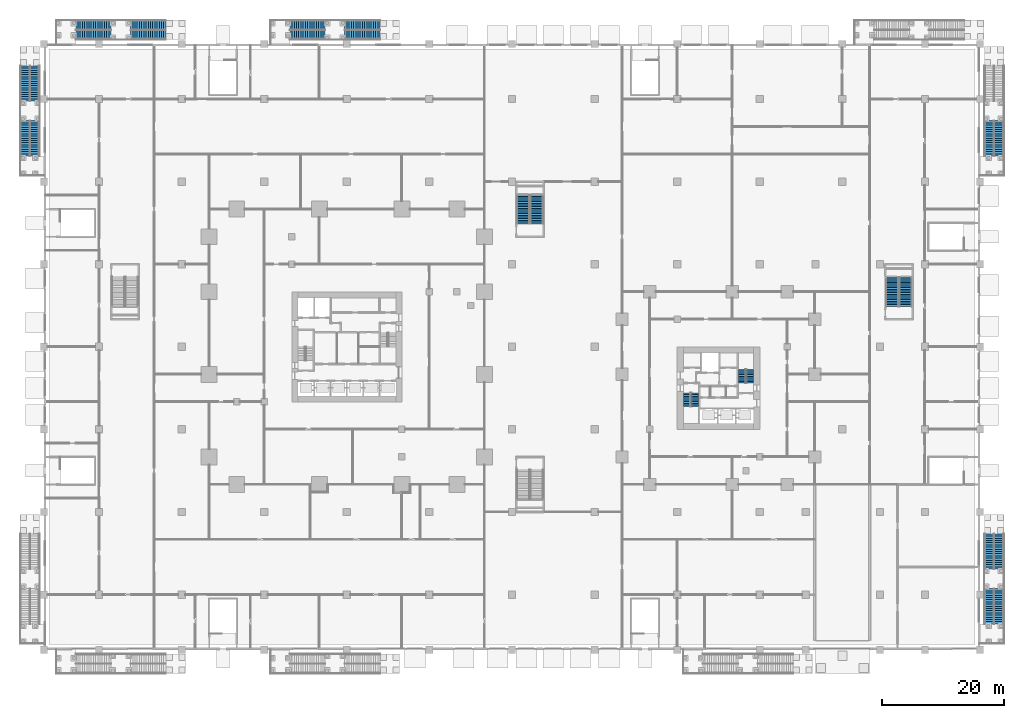
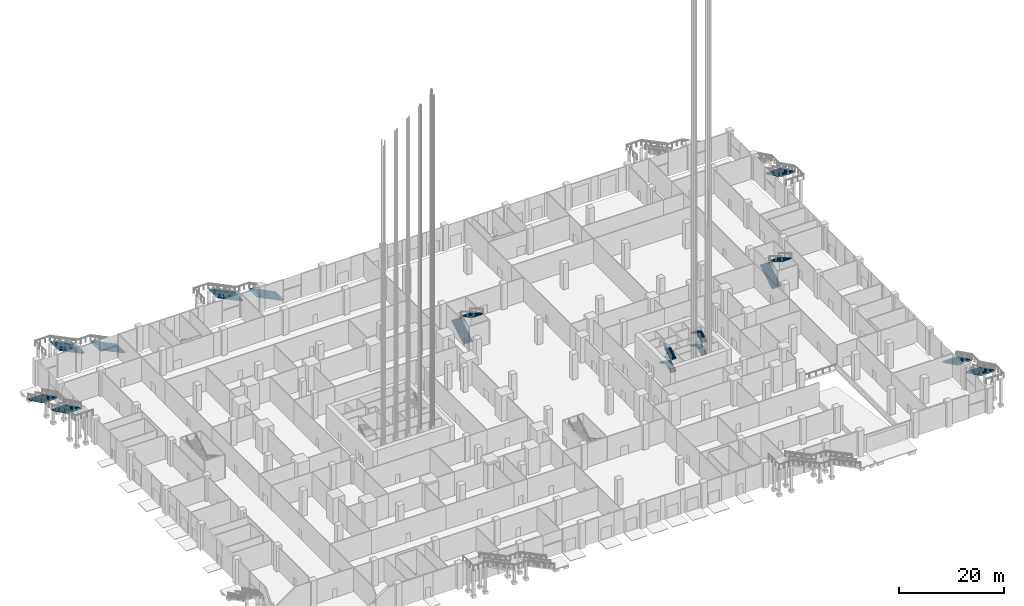
# One storey, part 38 of 68: 20 stair flights, 9 elements without a shape of their own.
"""IFC4 building model written with IfcOpenShell, lengths in metres."""

from ifc_helpers import new_model, si_unit, direction, frame, origin, place, context, subcontext, project, spatial, polyline, outline, extrude, material, type_object, element, aggregate, save


model = new_model("IFC4")

# Units and contexts
model_context = context("Model", 3, precision=1e-05, world=origin(), true_north=direction((0.0, 1.0)))
body_context = subcontext(model_context, "Body", "Model", "MODEL_VIEW")
ifc_project = project(units=[si_unit("LENGTHUNIT", "METRE"), si_unit("AREAUNIT", "SQUARE_METRE"), si_unit("VOLUMEUNIT", "CUBIC_METRE"), si_unit("PLANEANGLEUNIT", "RADIAN"), si_unit("MASSUNIT", "GRAM", prefix="KILO")], contexts=[model_context])

# Site, building, storey
site_placement = place(None, origin())
site = spatial("IfcSite", under=ifc_project, at=site_placement, CompositionType="ELEMENT")
building_placement = place(site_placement, origin())
building = spatial("IfcBuilding", under=site, at=building_placement, Name="Altepetl Exchange Towers", CompositionType="ELEMENT")
storey_placement = place(building_placement, origin())
storey = spatial("IfcBuildingStorey", under=building, at=storey_placement, Name="L00 Ground concourse", CompositionType="ELEMENT", Elevation=0.0)

# Stair, stair flights
ifc_material_1 = material(Name="Reinforced concrete C35/45", Category="concrete")
stair_type_1 = type_object("IfcStairType", Name="Exit garden steps 3200", PredefinedType="TWO_STRAIGHT_RUN_STAIR", material=ifc_material_1)
stair_1_placement = place(storey_placement, origin())
stair_1 = element("IfcStair", 1, at=stair_1_placement, inside=storey, type_object=stair_type_1, Name="ST-G3 exit garden steps", PredefinedType="TWO_STRAIGHT_RUN_STAIR")
stair_flight_type_1 = type_object("IfcStairFlightType", Name="Exit garden steps flight 3200", PredefinedType="STRAIGHT", material=ifc_material_1)
stair_flight_1_placement = place(storey_placement, frame((10.9599609375, 101.300048828125, 3.0), z_axis=(0.0, 0.0, 1.0), x_axis=(-1.0, 0.0, 0.0)))
stair_flight_1 = element("IfcStairFlight", 2, at=stair_flight_1_placement, type_object=stair_flight_type_1, Name="ST-G3 flight 1", NumberOfRisers=17, NumberOfTreads=16, PredefinedType="STRAIGHT", RiserHeight=0.176471, TreadLength=0.36, context=body_context, shape_type="SweptSolid", body=[
    extrude(outline(polyline([(0.0, 0.0), (0.0, 0.176513671875), (0.360107421875, 0.176513671875), (0.360107421875, 0.35302734375), (0.719970703125, 0.35302734375), (0.719970703125, 0.529296875), (1.080078125, 0.529296875), (1.080078125, 0.705810546875), (1.43994140625, 0.705810546875), (1.43994140625, 0.88232421875), (1.800048828125, 0.88232421875), (1.800048828125, 1.058837890625), (2.159912109375, 1.058837890625), (2.159912109375, 1.2353515625), (2.52001953125, 1.2353515625), (2.52001953125, 1.411865234375), (2.8798828125, 1.411865234375), (2.8798828125, 1.588134765625), (3.239990234375, 1.588134765625), (3.239990234375, 1.7646484375), (3.60009765625, 1.7646484375), (3.60009765625, 1.941162109375), (3.9599609375, 1.941162109375), (3.9599609375, 2.11767578125), (4.320068359375, 2.11767578125), (4.320068359375, 2.294189453125), (4.679931640625, 2.294189453125), (4.679931640625, 2.470703125), (5.0400390625, 2.470703125), (5.0400390625, 2.64697265625), (5.39990234375, 2.64697265625), (5.39990234375, 2.823486328125), (5.760009765625, 2.823486328125), (5.760009765625, 3.0), (5.760009765625, 2.600830078125), (0.454345703125, 0.0), (0.0, 0.0)])), frame((0.0, 1.60009765625, 0.0), z_axis=(0.0, -1.0, 0.0), x_axis=(1.0, 0.0, 0.0)), (0.0, 0.0, 1.0), 3.199951171875),
])
stair_flight_2_placement = place(storey_placement, frame((19.919921875, 101.300048828125, 0.0), z_axis=(0.0, 0.0, 1.0), x_axis=(-1.0, 0.0, 0.0)))
stair_flight_2 = element("IfcStairFlight", 3, at=stair_flight_2_placement, type_object=stair_flight_type_1, Name="ST-G3 flight 2", NumberOfRisers=17, NumberOfTreads=16, PredefinedType="STRAIGHT", RiserHeight=0.176471, TreadLength=0.36, context=body_context, shape_type="SweptSolid", body=[
    extrude(outline(polyline([(0.0, 0.0), (0.0, 0.176513671875), (0.360107421875, 0.176513671875), (0.360107421875, 0.35302734375), (0.719970703125, 0.35302734375), (0.719970703125, 0.529296875), (1.080078125, 0.529296875), (1.080078125, 0.705810546875), (1.43994140625, 0.705810546875), (1.43994140625, 0.88232421875), (1.800048828125, 0.88232421875), (1.800048828125, 1.058837890625), (2.159912109375, 1.058837890625), (2.159912109375, 1.2353515625), (2.52001953125, 1.2353515625), (2.52001953125, 1.411865234375), (2.8798828125, 1.411865234375), (2.8798828125, 1.588134765625), (3.239990234375, 1.588134765625), (3.239990234375, 1.7646484375), (3.60009765625, 1.7646484375), (3.60009765625, 1.941162109375), (3.9599609375, 1.941162109375), (3.9599609375, 2.11767578125), (4.320068359375, 2.11767578125), (4.320068359375, 2.294189453125), (4.679931640625, 2.294189453125), (4.679931640625, 2.470703125), (5.0400390625, 2.470703125), (5.0400390625, 2.64697265625), (5.39990234375, 2.64697265625), (5.39990234375, 2.823486328125), (5.760009765625, 2.823486328125), (5.760009765625, 3.0), (5.760009765625, 2.600830078125), (0.454345703125, 0.0), (0.0, 0.0)])), frame((0.0, 1.60009765625, 0.0), z_axis=(0.0, -1.0, 0.0), x_axis=(1.0, 0.0, 0.0)), (0.0, 0.0, 1.0), 3.199951171875),
])
aggregate(stair_1, [stair_flight_1, stair_flight_2])

stair_2_placement = place(storey_placement, origin())
stair_2 = element("IfcStair", 4, at=stair_2_placement, inside=storey, type_object=stair_type_1, Name="ST-G4 exit garden steps", PredefinedType="TWO_STRAIGHT_RUN_STAIR")
stair_flight_3_placement = place(storey_placement, frame((45.9599609375, 101.300048828125, 3.0), z_axis=(0.0, 0.0, 1.0), x_axis=(-1.0, 0.0, 0.0)))
stair_flight_3 = element("IfcStairFlight", 5, at=stair_flight_3_placement, type_object=stair_flight_type_1, Name="ST-G4 flight 1", NumberOfRisers=17, NumberOfTreads=16, PredefinedType="STRAIGHT", RiserHeight=0.176471, TreadLength=0.36, context=body_context, shape_type="SweptSolid", body=[
    extrude(outline(polyline([(0.0, 0.0), (0.0, 0.176513671875), (0.360107421875, 0.176513671875), (0.360107421875, 0.35302734375), (0.719970703125, 0.35302734375), (0.719970703125, 0.529296875), (1.080078125, 0.529296875), (1.080078125, 0.705810546875), (1.43994140625, 0.705810546875), (1.43994140625, 0.88232421875), (1.800048828125, 0.88232421875), (1.800048828125, 1.058837890625), (2.159912109375, 1.058837890625), (2.159912109375, 1.2353515625), (2.52001953125, 1.2353515625), (2.52001953125, 1.411865234375), (2.8798828125, 1.411865234375), (2.8798828125, 1.588134765625), (3.239990234375, 1.588134765625), (3.239990234375, 1.7646484375), (3.60009765625, 1.7646484375), (3.60009765625, 1.941162109375), (3.9599609375, 1.941162109375), (3.9599609375, 2.11767578125), (4.320068359375, 2.11767578125), (4.320068359375, 2.294189453125), (4.679931640625, 2.294189453125), (4.679931640625, 2.470703125), (5.0400390625, 2.470703125), (5.0400390625, 2.64697265625), (5.39990234375, 2.64697265625), (5.39990234375, 2.823486328125), (5.760009765625, 2.823486328125), (5.760009765625, 3.0), (5.760009765625, 2.600830078125), (0.454345703125, 0.0), (0.0, 0.0)])), frame((0.0, 1.60009765625, 0.0), z_axis=(0.0, -1.0, 0.0), x_axis=(1.0, 0.0, 0.0)), (0.0, 0.0, 1.0), 3.199951171875),
])
stair_flight_4_placement = place(storey_placement, frame((54.919921875, 101.300048828125, 0.0), z_axis=(0.0, 0.0, 1.0), x_axis=(-1.0, 0.0, 0.0)))
stair_flight_4 = element("IfcStairFlight", 6, at=stair_flight_4_placement, type_object=stair_flight_type_1, Name="ST-G4 flight 2", NumberOfRisers=17, NumberOfTreads=16, PredefinedType="STRAIGHT", RiserHeight=0.176471, TreadLength=0.36, context=body_context, shape_type="SweptSolid", body=[
    extrude(outline(polyline([(0.0, 0.0), (0.0, 0.176513671875), (0.360107421875, 0.176513671875), (0.360107421875, 0.35302734375), (0.719970703125, 0.35302734375), (0.719970703125, 0.529296875), (1.080078125, 0.529296875), (1.080078125, 0.705810546875), (1.43994140625, 0.705810546875), (1.43994140625, 0.88232421875), (1.800048828125, 0.88232421875), (1.800048828125, 1.058837890625), (2.159912109375, 1.058837890625), (2.159912109375, 1.2353515625), (2.52001953125, 1.2353515625), (2.52001953125, 1.411865234375), (2.8798828125, 1.411865234375), (2.8798828125, 1.588134765625), (3.239990234375, 1.588134765625), (3.239990234375, 1.7646484375), (3.60009765625, 1.7646484375), (3.60009765625, 1.941162109375), (3.9599609375, 1.941162109375), (3.9599609375, 2.11767578125), (4.320068359375, 2.11767578125), (4.320068359375, 2.294189453125), (4.679931640625, 2.294189453125), (4.679931640625, 2.470703125), (5.0400390625, 2.470703125), (5.0400390625, 2.64697265625), (5.39990234375, 2.64697265625), (5.39990234375, 2.823486328125), (5.760009765625, 2.823486328125), (5.760009765625, 3.0), (5.760009765625, 2.600830078125), (0.454345703125, 0.0), (0.0, 0.0)])), frame((0.0, 1.60009765625, 0.0), z_axis=(0.0, -1.0, 0.0), x_axis=(1.0, 0.0, 0.0)), (0.0, 0.0, 1.0), 3.199951171875),
])
aggregate(stair_2, [stair_flight_3, stair_flight_4])

stair_3_placement = place(storey_placement, origin())
stair_3 = element("IfcStair", 7, at=stair_3_placement, inside=storey, type_object=stair_type_1, Name="ST-G5 exit garden steps", PredefinedType="TWO_STRAIGHT_RUN_STAIR")
stair_flight_5_placement = place(storey_placement, frame((-2.300048828125, 86.4599609375, 3.0), z_axis=(0.0, 0.0, 1.0), x_axis=(0.0, -1.0, 0.0)))
stair_flight_5 = element("IfcStairFlight", 8, at=stair_flight_5_placement, type_object=stair_flight_type_1, Name="ST-G5 flight 1", NumberOfRisers=17, NumberOfTreads=16, PredefinedType="STRAIGHT", RiserHeight=0.176471, TreadLength=0.36, context=body_context, shape_type="SweptSolid", body=[
    extrude(outline(polyline([(0.0, 0.0), (0.0, 0.176513671875), (0.360107421875, 0.176513671875), (0.360107421875, 0.35302734375), (0.719970703125, 0.35302734375), (0.719970703125, 0.529296875), (1.080078125, 0.529296875), (1.080078125, 0.705810546875), (1.43994140625, 0.705810546875), (1.43994140625, 0.88232421875), (1.800048828125, 0.88232421875), (1.800048828125, 1.058837890625), (2.159912109375, 1.058837890625), (2.159912109375, 1.2353515625), (2.52001953125, 1.2353515625), (2.52001953125, 1.411865234375), (2.8798828125, 1.411865234375), (2.8798828125, 1.588134765625), (3.239990234375, 1.588134765625), (3.239990234375, 1.7646484375), (3.60009765625, 1.7646484375), (3.60009765625, 1.941162109375), (3.9599609375, 1.941162109375), (3.9599609375, 2.11767578125), (4.320068359375, 2.11767578125), (4.320068359375, 2.294189453125), (4.679931640625, 2.294189453125), (4.679931640625, 2.470703125), (5.0400390625, 2.470703125), (5.0400390625, 2.64697265625), (5.39990234375, 2.64697265625), (5.39990234375, 2.823486328125), (5.760009765625, 2.823486328125), (5.760009765625, 3.0), (5.760009765625, 2.600830078125), (0.454345703125, 0.0), (0.0, 0.0)])), frame((0.0, 1.60009765625, 0.0), z_axis=(0.0, -1.0, 0.0), x_axis=(1.0, 0.0, 0.0)), (0.0, 0.0, 1.0), 3.199951171875),
])
stair_flight_6_placement = place(storey_placement, frame((-2.300048828125, 95.419921875, 0.0), z_axis=(0.0, 0.0, 1.0), x_axis=(0.0, -1.0, 0.0)))
stair_flight_6 = element("IfcStairFlight", 9, at=stair_flight_6_placement, type_object=stair_flight_type_1, Name="ST-G5 flight 2", NumberOfRisers=17, NumberOfTreads=16, PredefinedType="STRAIGHT", RiserHeight=0.176471, TreadLength=0.36, context=body_context, shape_type="SweptSolid", body=[
    extrude(outline(polyline([(0.0, 0.0), (0.0, 0.176513671875), (0.360107421875, 0.176513671875), (0.360107421875, 0.35302734375), (0.719970703125, 0.35302734375), (0.719970703125, 0.529296875), (1.080078125, 0.529296875), (1.080078125, 0.705810546875), (1.43994140625, 0.705810546875), (1.43994140625, 0.88232421875), (1.800048828125, 0.88232421875), (1.800048828125, 1.058837890625), (2.159912109375, 1.058837890625), (2.159912109375, 1.2353515625), (2.52001953125, 1.2353515625), (2.52001953125, 1.411865234375), (2.8798828125, 1.411865234375), (2.8798828125, 1.588134765625), (3.239990234375, 1.588134765625), (3.239990234375, 1.7646484375), (3.60009765625, 1.7646484375), (3.60009765625, 1.941162109375), (3.9599609375, 1.941162109375), (3.9599609375, 2.11767578125), (4.320068359375, 2.11767578125), (4.320068359375, 2.294189453125), (4.679931640625, 2.294189453125), (4.679931640625, 2.470703125), (5.0400390625, 2.470703125), (5.0400390625, 2.64697265625), (5.39990234375, 2.64697265625), (5.39990234375, 2.823486328125), (5.760009765625, 2.823486328125), (5.760009765625, 3.0), (5.760009765625, 2.600830078125), (0.454345703125, 0.0), (0.0, 0.0)])), frame((0.0, 1.60009765625, 0.0), z_axis=(0.0, -1.0, 0.0), x_axis=(1.0, 0.0, 0.0)), (0.0, 0.0, 1.0), 3.199951171875),
])
aggregate(stair_3, [stair_flight_5, stair_flight_6])

# Stair, stair flight
stair_4_placement = place(storey_placement, origin())
stair_4 = element("IfcStair", 10, at=stair_4_placement, inside=storey, type_object=stair_type_1, Name="ST-G6 exit garden steps", PredefinedType="TWO_STRAIGHT_RUN_STAIR")
stair_flight_7_placement = place(storey_placement, frame((155.300048828125, 86.4599609375, 3.0), z_axis=(0.0, 0.0, 1.0), x_axis=(0.0, -1.0, 0.0)))
stair_flight_7 = element("IfcStairFlight", 11, at=stair_flight_7_placement, type_object=stair_flight_type_1, Name="ST-G6 flight 1", NumberOfRisers=17, NumberOfTreads=16, PredefinedType="STRAIGHT", RiserHeight=0.176471, TreadLength=0.36, context=body_context, shape_type="SweptSolid", body=[
    extrude(outline(polyline([(0.0, 0.0), (0.0, 0.176513671875), (0.360107421875, 0.176513671875), (0.360107421875, 0.35302734375), (0.719970703125, 0.35302734375), (0.719970703125, 0.529296875), (1.080078125, 0.529296875), (1.080078125, 0.705810546875), (1.43994140625, 0.705810546875), (1.43994140625, 0.88232421875), (1.800048828125, 0.88232421875), (1.800048828125, 1.058837890625), (2.159912109375, 1.058837890625), (2.159912109375, 1.2353515625), (2.52001953125, 1.2353515625), (2.52001953125, 1.411865234375), (2.8798828125, 1.411865234375), (2.8798828125, 1.588134765625), (3.239990234375, 1.588134765625), (3.239990234375, 1.7646484375), (3.60009765625, 1.7646484375), (3.60009765625, 1.941162109375), (3.9599609375, 1.941162109375), (3.9599609375, 2.11767578125), (4.320068359375, 2.11767578125), (4.320068359375, 2.294189453125), (4.679931640625, 2.294189453125), (4.679931640625, 2.470703125), (5.0400390625, 2.470703125), (5.0400390625, 2.64697265625), (5.39990234375, 2.64697265625), (5.39990234375, 2.823486328125), (5.760009765625, 2.823486328125), (5.760009765625, 3.0), (5.760009765625, 2.600830078125), (0.454345703125, 0.0), (0.0, 0.0)])), frame((0.0, 1.60009765625, 0.0), z_axis=(0.0, -1.0, 0.0), x_axis=(1.0, 0.0, 0.0)), (0.0, 0.0, 1.0), 3.199951171875),
])
aggregate(stair_4, [stair_flight_7])

# Stair, stair flights
stair_5_placement = place(storey_placement, origin())
stair_5 = element("IfcStair", 12, at=stair_5_placement, inside=storey, type_object=stair_type_1, Name="ST-G13 exit garden steps", PredefinedType="TWO_STRAIGHT_RUN_STAIR")
stair_flight_8_placement = place(storey_placement, frame((155.300048828125, 9.9599609375, 3.0), z_axis=(0.0, 0.0, 1.0), x_axis=(0.0, -1.0, 0.0)))
stair_flight_8 = element("IfcStairFlight", 13, at=stair_flight_8_placement, type_object=stair_flight_type_1, Name="ST-G13 flight 1", NumberOfRisers=17, NumberOfTreads=16, PredefinedType="STRAIGHT", RiserHeight=0.176471, TreadLength=0.36, context=body_context, shape_type="SweptSolid", body=[
    extrude(outline(polyline([(0.0, 0.0), (0.0, 0.176513671875), (0.360107421875, 0.176513671875), (0.360107421875, 0.35302734375), (0.719970703125, 0.35302734375), (0.719970703125, 0.529296875), (1.080078125, 0.529296875), (1.080078125, 0.705810546875), (1.43994140625, 0.705810546875), (1.43994140625, 0.88232421875), (1.800048828125, 0.88232421875), (1.800048828125, 1.058837890625), (2.159912109375, 1.058837890625), (2.159912109375, 1.2353515625), (2.52001953125, 1.2353515625), (2.52001953125, 1.411865234375), (2.8798828125, 1.411865234375), (2.8798828125, 1.588134765625), (3.239990234375, 1.588134765625), (3.239990234375, 1.7646484375), (3.60009765625, 1.7646484375), (3.60009765625, 1.941162109375), (3.9599609375, 1.941162109375), (3.9599609375, 2.11767578125), (4.320068359375, 2.11767578125), (4.320068359375, 2.294189453125), (4.679931640625, 2.294189453125), (4.679931640625, 2.470703125), (5.0400390625, 2.470703125), (5.0400390625, 2.64697265625), (5.39990234375, 2.64697265625), (5.39990234375, 2.823486328125), (5.760009765625, 2.823486328125), (5.760009765625, 3.0), (5.760009765625, 2.600830078125), (0.454345703125, 0.0), (0.0, 0.0)])), frame((0.0, 1.60009765625, 0.0), z_axis=(0.0, -1.0, 0.0), x_axis=(1.0, 0.0, 0.0)), (0.0, 0.0, 1.0), 3.199951171875),
])
stair_flight_9_placement = place(storey_placement, frame((155.300048828125, 18.919921875, 0.0), z_axis=(0.0, 0.0, 1.0), x_axis=(0.0, -1.0, 0.0)))
stair_flight_9 = element("IfcStairFlight", 14, at=stair_flight_9_placement, type_object=stair_flight_type_1, Name="ST-G13 flight 2", NumberOfRisers=17, NumberOfTreads=16, PredefinedType="STRAIGHT", RiserHeight=0.176471, TreadLength=0.36, context=body_context, shape_type="SweptSolid", body=[
    extrude(outline(polyline([(0.0, 0.0), (0.0, 0.176513671875), (0.360107421875, 0.176513671875), (0.360107421875, 0.35302734375), (0.719970703125, 0.35302734375), (0.719970703125, 0.529296875), (1.080078125, 0.529296875), (1.080078125, 0.705810546875), (1.43994140625, 0.705810546875), (1.43994140625, 0.88232421875), (1.800048828125, 0.88232421875), (1.800048828125, 1.058837890625), (2.159912109375, 1.058837890625), (2.159912109375, 1.2353515625), (2.52001953125, 1.2353515625), (2.52001953125, 1.411865234375), (2.8798828125, 1.411865234375), (2.8798828125, 1.588134765625), (3.239990234375, 1.588134765625), (3.239990234375, 1.7646484375), (3.60009765625, 1.7646484375), (3.60009765625, 1.941162109375), (3.9599609375, 1.941162109375), (3.9599609375, 2.11767578125), (4.320068359375, 2.11767578125), (4.320068359375, 2.294189453125), (4.679931640625, 2.294189453125), (4.679931640625, 2.470703125), (5.0400390625, 2.470703125), (5.0400390625, 2.64697265625), (5.39990234375, 2.64697265625), (5.39990234375, 2.823486328125), (5.760009765625, 2.823486328125), (5.760009765625, 3.0), (5.760009765625, 2.600830078125), (0.454345703125, 0.0), (0.0, 0.0)])), frame((0.0, 1.60009765625, 0.0), z_axis=(0.0, -1.0, 0.0), x_axis=(1.0, 0.0, 0.0)), (0.0, 0.0, 1.0), 3.199951171875),
])
aggregate(stair_5, [stair_flight_8, stair_flight_9])

ifc_material_2 = material(Name="Concrete C40/50", Category="concrete")
stair_type_2 = type_object("IfcStairType", Name="Exit stair 1200 flights dogleg", PredefinedType="HALF_TURN_STAIR", material=ifc_material_2)
stair_6_placement = place(storey_placement, origin())
stair_6 = element("IfcStair", 15, at=stair_6_placement, inside=storey, type_object=stair_type_2, Name="Exit stair 1", PredefinedType="HALF_TURN_STAIR")
stair_flight_type_2 = type_object("IfcStairFlightType", Name="Stair flight 1200 wide", PredefinedType="STRAIGHT", material=ifc_material_2)
stair_flight_10_placement = place(storey_placement, frame((106.39990234375, 39.7099609375, 1.5), z_axis=(0.0, 0.0, 1.0), x_axis=(0.0, 1.0, 0.0)))
stair_flight_10 = element("IfcStairFlight", 16, at=stair_flight_10_placement, type_object=stair_flight_type_2, Name="ST-B1a flight 2", NumberOfRisers=9, NumberOfTreads=8, PredefinedType="STRAIGHT", RiserHeight=0.166666667, TreadLength=0.28, context=body_context, shape_type="SweptSolid", body=[
    extrude(outline(polyline([(0.0, 0.0), (0.0, 0.166748046875), (0.280029296875, 0.166748046875), (0.280029296875, 0.333251953125), (0.56005859375, 0.333251953125), (0.56005859375, 0.5), (0.840087890625, 0.5), (0.840087890625, 0.666748046875), (1.1201171875, 0.666748046875), (1.1201171875, 0.833251953125), (1.39990234375, 0.833251953125), (1.39990234375, 1.0), (1.679931640625, 1.0), (1.679931640625, 1.166748046875), (1.9599609375, 1.166748046875), (1.9599609375, 1.333251953125), (2.239990234375, 1.333251953125), (2.239990234375, 1.5), (2.239990234375, 1.158935546875), (0.29296875, 0.0), (0.0, 0.0)])), frame((0.0, 0.60009765625, 0.0), z_axis=(0.0, -1.0, 0.0), x_axis=(1.0, 0.0, 0.0)), (0.0, 0.0, 1.0), 1.199951171875),
])
stair_flight_11_placement = place(storey_placement, frame((105.10009765625, 41.949951171875, 3.0), z_axis=(0.0, 0.0, 1.0), x_axis=(0.0, -1.0, 0.0)))
stair_flight_11 = element("IfcStairFlight", 17, at=stair_flight_11_placement, type_object=stair_flight_type_2, Name="ST-B1a flight 3", NumberOfRisers=9, NumberOfTreads=8, PredefinedType="STRAIGHT", RiserHeight=0.166666667, TreadLength=0.28, context=body_context, shape_type="SweptSolid", body=[
    extrude(outline(polyline([(0.0, 0.0), (0.0, 0.166748046875), (0.280029296875, 0.166748046875), (0.280029296875, 0.333251953125), (0.56005859375, 0.333251953125), (0.56005859375, 0.5), (0.840087890625, 0.5), (0.840087890625, 0.666748046875), (1.1201171875, 0.666748046875), (1.1201171875, 0.833251953125), (1.39990234375, 0.833251953125), (1.39990234375, 1.0), (1.679931640625, 1.0), (1.679931640625, 1.166748046875), (1.9599609375, 1.166748046875), (1.9599609375, 1.333251953125), (2.239990234375, 1.333251953125), (2.239990234375, 1.5), (2.239990234375, 1.158935546875), (0.29296875, 0.0), (0.0, 0.0)])), frame((0.0, 0.60009765625, 0.0), z_axis=(0.0, -1.0, 0.0), x_axis=(1.0, 0.0, 0.0)), (0.0, 0.0, 1.0), 1.199951171875),
])
stair_flight_12_placement = place(storey_placement, frame((106.39990234375, 39.7099609375, 4.5), z_axis=(0.0, 0.0, 1.0), x_axis=(0.0, 1.0, 0.0)))
stair_flight_12 = element("IfcStairFlight", 18, at=stair_flight_12_placement, type_object=stair_flight_type_2, Name="ST-B1a flight 4", NumberOfRisers=9, NumberOfTreads=8, PredefinedType="STRAIGHT", RiserHeight=0.166666667, TreadLength=0.28, context=body_context, shape_type="SweptSolid", body=[
    extrude(outline(polyline([(0.0, 0.0), (0.0, 0.166748046875), (0.280029296875, 0.166748046875), (0.280029296875, 0.333251953125), (0.56005859375, 0.333251953125), (0.56005859375, 0.5), (0.840087890625, 0.5), (0.840087890625, 0.666748046875), (1.1201171875, 0.666748046875), (1.1201171875, 0.833251953125), (1.39990234375, 0.833251953125), (1.39990234375, 1.0), (1.679931640625, 1.0), (1.679931640625, 1.166748046875), (1.9599609375, 1.166748046875), (1.9599609375, 1.333251953125), (2.239990234375, 1.333251953125), (2.239990234375, 1.5), (2.239990234375, 1.158935546875), (0.29296875, 0.0), (0.0, 0.0)])), frame((0.0, 0.60009765625, 0.0), z_axis=(0.0, -1.0, 0.0), x_axis=(1.0, 0.0, 0.0)), (0.0, 0.0, 1.0), 1.199951171875),
])
aggregate(stair_6, [stair_flight_10, stair_flight_11, stair_flight_12])

stair_7_placement = place(storey_placement, origin())
stair_7 = element("IfcStair", 19, at=stair_7_placement, inside=storey, type_object=stair_type_2, Name="Exit stair 2", PredefinedType="HALF_TURN_STAIR")
stair_flight_13_placement = place(storey_placement, frame((115.39990234375, 43.550048828125, 0.0), z_axis=(0.0, 0.0, 1.0), x_axis=(0.0, 1.0, 0.0)))
stair_flight_13 = element("IfcStairFlight", 20, at=stair_flight_13_placement, type_object=stair_flight_type_2, Name="ST-B2a flight 1", NumberOfRisers=9, NumberOfTreads=8, PredefinedType="STRAIGHT", RiserHeight=0.166666667, TreadLength=0.28, context=body_context, shape_type="SweptSolid", body=[
    extrude(outline(polyline([(0.0, 0.0), (0.0, 0.166748046875), (0.280029296875, 0.166748046875), (0.280029296875, 0.333251953125), (0.56005859375, 0.333251953125), (0.56005859375, 0.5), (0.840087890625, 0.5), (0.840087890625, 0.666748046875), (1.1201171875, 0.666748046875), (1.1201171875, 0.833251953125), (1.39990234375, 0.833251953125), (1.39990234375, 1.0), (1.679931640625, 1.0), (1.679931640625, 1.166748046875), (1.9599609375, 1.166748046875), (1.9599609375, 1.333251953125), (2.239990234375, 1.333251953125), (2.239990234375, 1.5), (2.239990234375, 1.158935546875), (0.29296875, 0.0), (0.0, 0.0)])), frame((0.0, 0.60009765625, 0.0), z_axis=(0.0, -1.0, 0.0), x_axis=(1.0, 0.0, 0.0)), (0.0, 0.0, 1.0), 1.199951171875),
])
stair_flight_14_placement = place(storey_placement, frame((114.10009765625, 45.7900390625, 1.5), z_axis=(0.0, 0.0, 1.0), x_axis=(0.0, -1.0, 0.0)))
stair_flight_14 = element("IfcStairFlight", 21, at=stair_flight_14_placement, type_object=stair_flight_type_2, Name="ST-B2a flight 2", NumberOfRisers=9, NumberOfTreads=8, PredefinedType="STRAIGHT", RiserHeight=0.166666667, TreadLength=0.28, context=body_context, shape_type="SweptSolid", body=[
    extrude(outline(polyline([(0.0, 0.0), (0.0, 0.166748046875), (0.280029296875, 0.166748046875), (0.280029296875, 0.333251953125), (0.56005859375, 0.333251953125), (0.56005859375, 0.5), (0.840087890625, 0.5), (0.840087890625, 0.666748046875), (1.1201171875, 0.666748046875), (1.1201171875, 0.833251953125), (1.39990234375, 0.833251953125), (1.39990234375, 1.0), (1.679931640625, 1.0), (1.679931640625, 1.166748046875), (1.9599609375, 1.166748046875), (1.9599609375, 1.333251953125), (2.239990234375, 1.333251953125), (2.239990234375, 1.5), (2.239990234375, 1.158935546875), (0.29296875, 0.0), (0.0, 0.0)])), frame((0.0, 0.60009765625, 0.0), z_axis=(0.0, -1.0, 0.0), x_axis=(1.0, 0.0, 0.0)), (0.0, 0.0, 1.0), 1.199951171875),
])
stair_flight_15_placement = place(storey_placement, frame((115.39990234375, 43.550048828125, 3.0), z_axis=(0.0, 0.0, 1.0), x_axis=(0.0, 1.0, 0.0)))
stair_flight_15 = element("IfcStairFlight", 22, at=stair_flight_15_placement, type_object=stair_flight_type_2, Name="ST-B2a flight 3", NumberOfRisers=9, NumberOfTreads=8, PredefinedType="STRAIGHT", RiserHeight=0.166666667, TreadLength=0.28, context=body_context, shape_type="SweptSolid", body=[
    extrude(outline(polyline([(0.0, 0.0), (0.0, 0.166748046875), (0.280029296875, 0.166748046875), (0.280029296875, 0.333251953125), (0.56005859375, 0.333251953125), (0.56005859375, 0.5), (0.840087890625, 0.5), (0.840087890625, 0.666748046875), (1.1201171875, 0.666748046875), (1.1201171875, 0.833251953125), (1.39990234375, 0.833251953125), (1.39990234375, 1.0), (1.679931640625, 1.0), (1.679931640625, 1.166748046875), (1.9599609375, 1.166748046875), (1.9599609375, 1.333251953125), (2.239990234375, 1.333251953125), (2.239990234375, 1.5), (2.239990234375, 1.158935546875), (0.29296875, 0.0), (0.0, 0.0)])), frame((0.0, 0.60009765625, 0.0), z_axis=(0.0, -1.0, 0.0), x_axis=(1.0, 0.0, 0.0)), (0.0, 0.0, 1.0), 1.199951171875),
])
stair_flight_16_placement = place(storey_placement, frame((114.10009765625, 45.7900390625, 4.5), z_axis=(0.0, 0.0, 1.0), x_axis=(0.0, -1.0, 0.0)))
stair_flight_16 = element("IfcStairFlight", 23, at=stair_flight_16_placement, type_object=stair_flight_type_2, Name="ST-B2a flight 4", NumberOfRisers=9, NumberOfTreads=8, PredefinedType="STRAIGHT", RiserHeight=0.166666667, TreadLength=0.28, context=body_context, shape_type="SweptSolid", body=[
    extrude(outline(polyline([(0.0, 0.0), (0.0, 0.166748046875), (0.280029296875, 0.166748046875), (0.280029296875, 0.333251953125), (0.56005859375, 0.333251953125), (0.56005859375, 0.5), (0.840087890625, 0.5), (0.840087890625, 0.666748046875), (1.1201171875, 0.666748046875), (1.1201171875, 0.833251953125), (1.39990234375, 0.833251953125), (1.39990234375, 1.0), (1.679931640625, 1.0), (1.679931640625, 1.166748046875), (1.9599609375, 1.166748046875), (1.9599609375, 1.333251953125), (2.239990234375, 1.333251953125), (2.239990234375, 1.5), (2.239990234375, 1.158935546875), (0.29296875, 0.0), (0.0, 0.0)])), frame((0.0, 0.60009765625, 0.0), z_axis=(0.0, -1.0, 0.0), x_axis=(1.0, 0.0, 0.0)), (0.0, 0.0, 1.0), 1.199951171875),
])
aggregate(stair_7, [stair_flight_13, stair_flight_14, stair_flight_15, stair_flight_16])

stair_type_3 = type_object("IfcStairType", Name="Exit half-turn stair 2025", PredefinedType="HALF_TURN_STAIR", material=ifc_material_1)
stair_8_placement = place(storey_placement, origin())
stair_8 = element("IfcStair", 24, at=stair_8_placement, inside=storey, type_object=stair_type_3, Name="ST-P10 stair", PredefinedType="HALF_TURN_STAIR")
stair_flight_type_3 = type_object("IfcStairFlightType", Name="Stair flight 2025", PredefinedType="STRAIGHT", material=ifc_material_1)
stair_flight_17_placement = place(storey_placement, frame((78.362548828125, 69.60009765625, 0.0), z_axis=(0.0, 0.0, 1.0), x_axis=(0.0, 1.0, 0.0)))
stair_flight_17 = element("IfcStairFlight", 25, at=stair_flight_17_placement, type_object=stair_flight_type_3, Name="ST-P10 flight 1", NumberOfRisers=18, NumberOfTreads=17, PredefinedType="STRAIGHT", RiserHeight=0.166667, TreadLength=0.28, context=body_context, shape_type="SweptSolid", body=[
    extrude(outline(polyline([(0.0, 0.0), (0.0, 0.166748046875), (0.280029296875, 0.166748046875), (0.280029296875, 0.333251953125), (0.56005859375, 0.333251953125), (0.56005859375, 0.5), (0.840087890625, 0.5), (0.840087890625, 0.666748046875), (1.1201171875, 0.666748046875), (1.1201171875, 0.833251953125), (1.39990234375, 0.833251953125), (1.39990234375, 1.0), (1.679931640625, 1.0), (1.679931640625, 1.166748046875), (1.9599609375, 1.166748046875), (1.9599609375, 1.333251953125), (2.239990234375, 1.333251953125), (2.239990234375, 1.5), (2.52001953125, 1.5), (2.52001953125, 1.666748046875), (2.800048828125, 1.666748046875), (2.800048828125, 1.833251953125), (3.080078125, 1.833251953125), (3.080078125, 2.0), (3.360107421875, 2.0), (3.360107421875, 2.166748046875), (3.639892578125, 2.166748046875), (3.639892578125, 2.333251953125), (3.919921875, 2.333251953125), (3.919921875, 2.5), (4.199951171875, 2.5), (4.199951171875, 2.666748046875), (4.47998046875, 2.666748046875), (4.47998046875, 2.833251953125), (4.760009765625, 2.833251953125), (4.760009765625, 3.0), (4.760009765625, 2.6005859375), (0.390869140625, 0.0), (0.0, 0.0)])), frame((0.0, 1.012451171875, 0.0), z_axis=(0.0, -1.0, 0.0), x_axis=(1.0, 0.0, 0.0)), (0.0, 0.0, 1.0), 2.02490234375),
])
stair_flight_18_placement = place(storey_placement, frame((80.53759765625, 74.360107421875, 3.0), z_axis=(0.0, 0.0, 1.0), x_axis=(0.0, -1.0, 0.0)))
stair_flight_18 = element("IfcStairFlight", 26, at=stair_flight_18_placement, type_object=stair_flight_type_3, Name="ST-P10 flight 2", NumberOfRisers=18, NumberOfTreads=17, PredefinedType="STRAIGHT", RiserHeight=0.166667, TreadLength=0.28, context=body_context, shape_type="SweptSolid", body=[
    extrude(outline(polyline([(0.0, 0.0), (0.0, 0.166748046875), (0.280029296875, 0.166748046875), (0.280029296875, 0.333251953125), (0.56005859375, 0.333251953125), (0.56005859375, 0.5), (0.840087890625, 0.5), (0.840087890625, 0.666748046875), (1.1201171875, 0.666748046875), (1.1201171875, 0.833251953125), (1.39990234375, 0.833251953125), (1.39990234375, 1.0), (1.679931640625, 1.0), (1.679931640625, 1.166748046875), (1.9599609375, 1.166748046875), (1.9599609375, 1.333251953125), (2.239990234375, 1.333251953125), (2.239990234375, 1.5), (2.52001953125, 1.5), (2.52001953125, 1.666748046875), (2.800048828125, 1.666748046875), (2.800048828125, 1.833251953125), (3.080078125, 1.833251953125), (3.080078125, 2.0), (3.360107421875, 2.0), (3.360107421875, 2.166748046875), (3.639892578125, 2.166748046875), (3.639892578125, 2.333251953125), (3.919921875, 2.333251953125), (3.919921875, 2.5), (4.199951171875, 2.5), (4.199951171875, 2.666748046875), (4.47998046875, 2.666748046875), (4.47998046875, 2.833251953125), (4.760009765625, 2.833251953125), (4.760009765625, 3.0), (4.760009765625, 2.6005859375), (0.390869140625, 0.0), (0.0, 0.0)])), frame((0.0, 1.012451171875, 0.0), z_axis=(0.0, -1.0, 0.0), x_axis=(1.0, 0.0, 0.0)), (0.0, 0.0, 1.0), 2.02490234375),
])
aggregate(stair_8, [stair_flight_17, stair_flight_18])

stair_9_placement = place(storey_placement, origin())
stair_9 = element("IfcStair", 27, at=stair_9_placement, inside=storey, type_object=stair_type_3, Name="ST-P13 stair", PredefinedType="HALF_TURN_STAIR")
stair_flight_19_placement = place(storey_placement, frame((138.66259765625, 56.10009765625, 0.0), z_axis=(0.0, 0.0, 1.0), x_axis=(0.0, 1.0, 0.0)))
stair_flight_19 = element("IfcStairFlight", 28, at=stair_flight_19_placement, type_object=stair_flight_type_3, Name="ST-P13 flight 1", NumberOfRisers=18, NumberOfTreads=17, PredefinedType="STRAIGHT", RiserHeight=0.166667, TreadLength=0.28, context=body_context, shape_type="SweptSolid", body=[
    extrude(outline(polyline([(0.0, 0.0), (0.0, 0.166748046875), (0.280029296875, 0.166748046875), (0.280029296875, 0.333251953125), (0.56005859375, 0.333251953125), (0.56005859375, 0.5), (0.840087890625, 0.5), (0.840087890625, 0.666748046875), (1.1201171875, 0.666748046875), (1.1201171875, 0.833251953125), (1.39990234375, 0.833251953125), (1.39990234375, 1.0), (1.679931640625, 1.0), (1.679931640625, 1.166748046875), (1.9599609375, 1.166748046875), (1.9599609375, 1.333251953125), (2.239990234375, 1.333251953125), (2.239990234375, 1.5), (2.52001953125, 1.5), (2.52001953125, 1.666748046875), (2.800048828125, 1.666748046875), (2.800048828125, 1.833251953125), (3.080078125, 1.833251953125), (3.080078125, 2.0), (3.360107421875, 2.0), (3.360107421875, 2.166748046875), (3.639892578125, 2.166748046875), (3.639892578125, 2.333251953125), (3.919921875, 2.333251953125), (3.919921875, 2.5), (4.199951171875, 2.5), (4.199951171875, 2.666748046875), (4.47998046875, 2.666748046875), (4.47998046875, 2.833251953125), (4.760009765625, 2.833251953125), (4.760009765625, 3.0), (4.760009765625, 2.6005859375), (0.390869140625, 0.0), (0.0, 0.0)])), frame((0.0, 1.012451171875, 0.0), z_axis=(0.0, -1.0, 0.0), x_axis=(1.0, 0.0, 0.0)), (0.0, 0.0, 1.0), 2.02490234375),
])
stair_flight_20_placement = place(storey_placement, frame((140.83740234375, 60.860107421875, 3.0), z_axis=(0.0, 0.0, 1.0), x_axis=(0.0, -1.0, 0.0)))
stair_flight_20 = element("IfcStairFlight", 29, at=stair_flight_20_placement, type_object=stair_flight_type_3, Name="ST-P13 flight 2", NumberOfRisers=18, NumberOfTreads=17, PredefinedType="STRAIGHT", RiserHeight=0.166667, TreadLength=0.28, context=body_context, shape_type="SweptSolid", body=[
    extrude(outline(polyline([(0.0, 0.0), (0.0, 0.166748046875), (0.280029296875, 0.166748046875), (0.280029296875, 0.333251953125), (0.56005859375, 0.333251953125), (0.56005859375, 0.5), (0.840087890625, 0.5), (0.840087890625, 0.666748046875), (1.1201171875, 0.666748046875), (1.1201171875, 0.833251953125), (1.39990234375, 0.833251953125), (1.39990234375, 1.0), (1.679931640625, 1.0), (1.679931640625, 1.166748046875), (1.9599609375, 1.166748046875), (1.9599609375, 1.333251953125), (2.239990234375, 1.333251953125), (2.239990234375, 1.5), (2.52001953125, 1.5), (2.52001953125, 1.666748046875), (2.800048828125, 1.666748046875), (2.800048828125, 1.833251953125), (3.080078125, 1.833251953125), (3.080078125, 2.0), (3.360107421875, 2.0), (3.360107421875, 2.166748046875), (3.639892578125, 2.166748046875), (3.639892578125, 2.333251953125), (3.919921875, 2.333251953125), (3.919921875, 2.5), (4.199951171875, 2.5), (4.199951171875, 2.666748046875), (4.47998046875, 2.666748046875), (4.47998046875, 2.833251953125), (4.760009765625, 2.833251953125), (4.760009765625, 3.0), (4.760009765625, 2.6005859375), (0.390869140625, 0.0), (0.0, 0.0)])), frame((0.0, 1.012451171875, 0.0), z_axis=(0.0, -1.0, 0.0), x_axis=(1.0, 0.0, 0.0)), (0.0, 0.0, 1.0), 2.02490234375),
])
aggregate(stair_9, [stair_flight_19, stair_flight_20])

save(model, "model.ifc")
